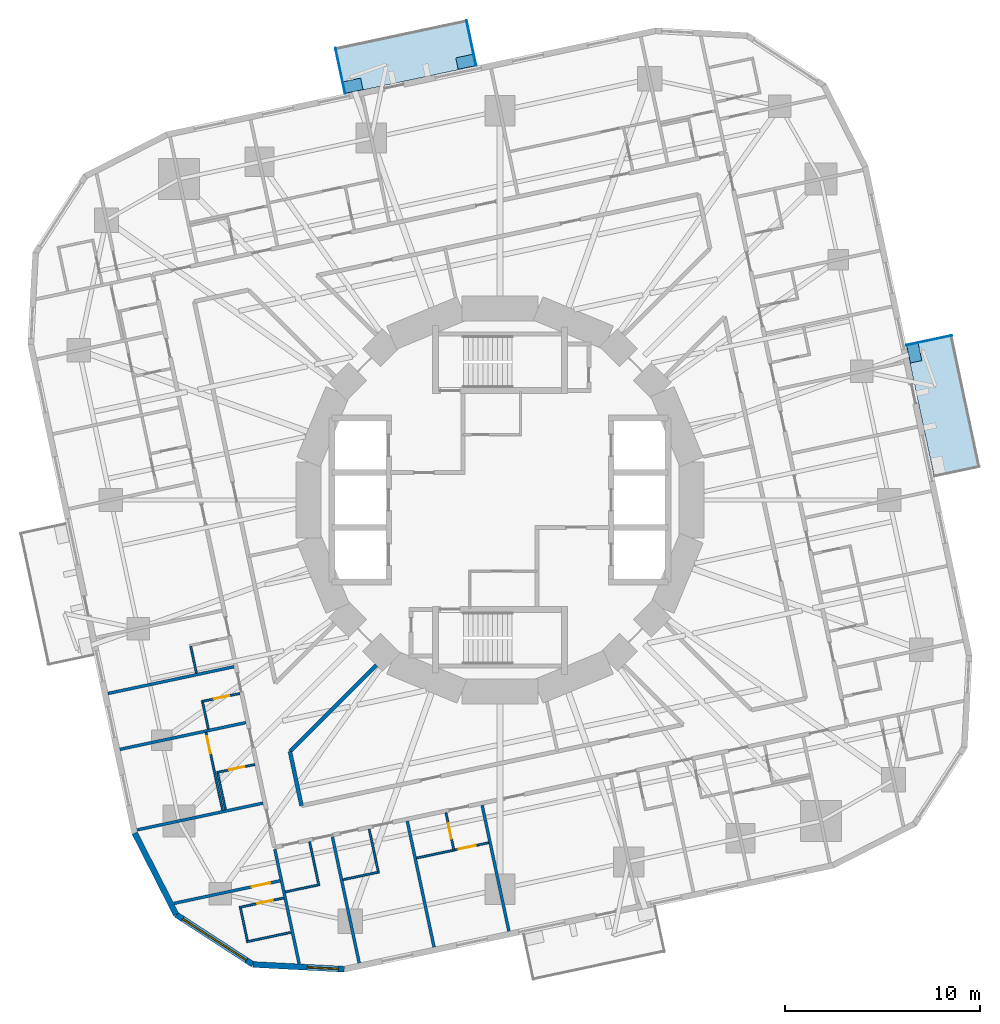
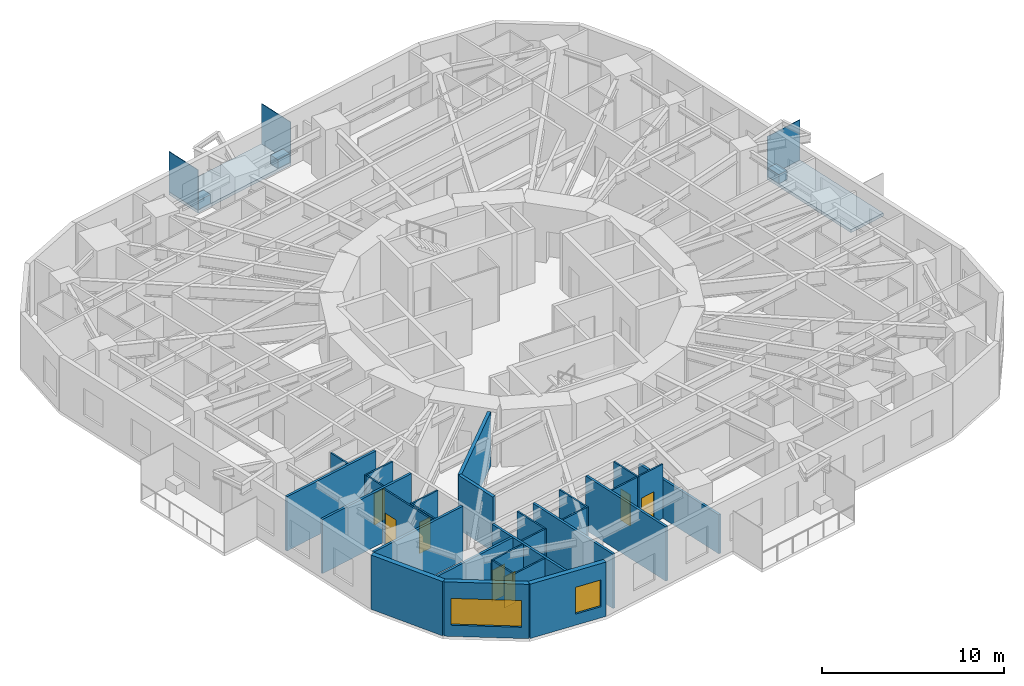
# One storey, part 4 of 14: 29 walls, 7 doors, 6 plates, 2 slabs, 2 windows, 9 openings.
"""IFC4 building model written with IfcOpenShell, lengths in metres."""

import ifcopenshell
import ifcopenshell.guid

model = None  # the IFC model being written
_history = None  # IfcOwnerHistory: only IFC2X3 demands one
_inside = {}  # id of a spatial element -> (the spatial element, [elements in it])
_under = {}  # id of a project, library or spatial element -> (it, [spatial elements below it])
_declared = {}  # id of a project -> (the project, [libraries it declares])
_typed = {}  # id of a type object -> (the type object, [elements of that type])
_made_of = {}  # id of a material, layer set ... -> (it, [elements and type objects made of it])


def new_model(schema):
    """Start an empty IFC model of exactly this schema.

    Asked for "IFC4X3", IfcOpenShell would pick the latest addendum, in which some entities
    have other attributes; the version numbers below select the first issue.
    IFC2X3 requires an IfcOwnerHistory on every rooted entity: one is made here for all.
    """
    global model, _history
    if schema == "IFC4X3":
        model = ifcopenshell.file(schema_version=(4, 3, 0, 0))
    else:
        model = ifcopenshell.file(schema=schema)
    _inside.clear()
    _under.clear()
    _declared.clear()
    _typed.clear()
    _made_of.clear()
    _history = None
    if model.schema == "IFC2X3":
        org = make("IfcOrganization", Name="unknown")
        user = make(
            "IfcPersonAndOrganization",
            ThePerson=make("IfcPerson", FamilyName="unknown"),
            TheOrganization=org,
        )
        app = make(
            "IfcApplication",
            ApplicationDeveloper=org,
            Version="unknown",
            ApplicationFullName="unknown",
            ApplicationIdentifier="unknown",
        )
        _history = make(
            "IfcOwnerHistory",
            OwningUser=user,
            OwningApplication=app,
            ChangeAction="ADDED",
            CreationDate=0,
        )
    return model


def make(cls, **values):
    """One entity of the class cls with the attributes given. An attribute that is None is left unset."""
    return model.create_entity(
        cls, **{name: value for name, value in values.items() if value is not None}
    )


def rooted(cls, **values):
    """An entity with a GlobalId (a new one), such as an element, a storey or a relation."""
    return make(cls, GlobalId=ifcopenshell.guid.new(), OwnerHistory=_history, **values)


def si_unit(unit_type, name, prefix=None):
    """IfcSIUnit, for example si_unit("LENGTHUNIT", "METRE", prefix="MILLI")."""
    return make("IfcSIUnit", UnitType=unit_type, Prefix=prefix, Name=name)


def assignment(units):
    """IfcUnitAssignment: the units of a project."""
    return None if units is None else make("IfcUnitAssignment", Units=units)


def point(xyz):
    """IfcCartesianPoint."""
    return None if xyz is None else make("IfcCartesianPoint", Coordinates=xyz)


def direction(xyz):
    """IfcDirection."""
    return None if xyz is None else make("IfcDirection", DirectionRatios=xyz)


def frame(location, z_axis=None, x_axis=None):
    """IfcAxis2Placement3D, a coordinate frame: its origin and axes. An axis left out is left unset."""
    return make(
        "IfcAxis2Placement3D",
        Location=point(location),
        Axis=direction(z_axis),
        RefDirection=direction(x_axis),
    )


def frame_2d(location, x_axis=None):
    """IfcAxis2Placement2D, a coordinate frame in the plane: its origin and x axis."""
    return make(
        "IfcAxis2Placement2D", Location=point(location), RefDirection=direction(x_axis)
    )


def origin():
    """The frame at (0, 0, 0) with its axes left unset."""
    return frame((0.0, 0.0, 0.0))


def origin_2d():
    """The frame at (0, 0) in the plane with its x axis left unset."""
    return frame_2d((0.0, 0.0))


def place(relative_to, where):
    """IfcLocalPlacement: puts the frame where relative to a parent placement (None: the world)."""
    return make(
        "IfcLocalPlacement", PlacementRelTo=relative_to, RelativePlacement=where
    )


def context(
    kind, dimensions, precision=None, world=None, true_north=None, identifier=None
):
    """IfcGeometricRepresentationContext, for example the 3D "Model" context."""
    return make(
        "IfcGeometricRepresentationContext",
        ContextIdentifier=identifier,
        ContextType=kind,
        CoordinateSpaceDimension=dimensions,
        Precision=precision,
        WorldCoordinateSystem=world,
        TrueNorth=true_north,
    )


def subcontext(parent, identifier, kind, view, scale=None):
    """IfcGeometricRepresentationSubContext, for example "Body" below "Model"."""
    return make(
        "IfcGeometricRepresentationSubContext",
        ContextIdentifier=identifier,
        ContextType=kind,
        ParentContext=parent,
        TargetScale=scale,
        TargetView=view,
    )


def project(units=None, contexts=None):
    """IfcProject with its units and contexts."""
    return rooted(
        "IfcProject",
        Name="project",
        RepresentationContexts=contexts,
        UnitsInContext=assignment(units),
    )


def spatial(cls, under=None, at=None, **own):
    """A site, building, storey or space (cls), placed at a placement, below another one or the project."""
    s = rooted(cls, ObjectPlacement=at, **own)
    if under is not None:
        _under.setdefault(under.id(), (under, []))[1].append(s)
    return s


def polyline(points):
    """IfcPolyline through the points."""
    return make("IfcPolyline", Points=[point(p) for p in points])


def profile(cls, at=None, kind="AREA", **sizes):
    """A parametric profile (cls). Its sizes go by their IFC names, for example OverallWidth=200.0."""
    return make(cls, ProfileType=kind, Position=at, **sizes)


def rectangle(**sizes):
    """IfcRectangleProfileDef."""
    return profile("IfcRectangleProfileDef", **sizes)


def outline(outer, holes=None, kind="AREA"):
    """IfcArbitraryClosedProfileDef: a profile drawn as a closed curve; with holes, ...WithVoids."""
    if holes is None:
        return make("IfcArbitraryClosedProfileDef", ProfileType=kind, OuterCurve=outer)
    return make(
        "IfcArbitraryProfileDefWithVoids",
        ProfileType=kind,
        OuterCurve=outer,
        InnerCurves=holes,
    )


def extrude(swept, where, along, depth):
    """IfcExtrudedAreaSolid: the profile swept, set in the frame where, extruded along a direction by depth."""
    return make(
        "IfcExtrudedAreaSolid",
        SweptArea=swept,
        Position=where,
        ExtrudedDirection=direction(along),
        Depth=depth,
    )


def shape(context_of_items, identifier, shape_type, items):
    """IfcShapeRepresentation: the items that make up one representation, for example the "Body"."""
    return make(
        "IfcShapeRepresentation",
        ContextOfItems=context_of_items,
        RepresentationIdentifier=identifier,
        RepresentationType=shape_type,
        Items=items,
    )


def material(Name=None, Category=None):
    """IfcMaterial."""
    return make("IfcMaterial", Name=Name, Category=Category)


def layer(
    of_material, thickness, ventilated=None, Name=None, Category=None, Priority=None
):
    """IfcMaterialLayer: one layer of a wall or slab, of a material (None: an air gap)."""
    return make(
        "IfcMaterialLayer",
        Material=of_material,
        LayerThickness=thickness,
        IsVentilated=ventilated,
        Name=Name,
        Category=Category,
        Priority=Priority,
    )


def layer_set(layers, Name=None):
    """IfcMaterialLayerSet."""
    return make("IfcMaterialLayerSet", MaterialLayers=layers, LayerSetName=Name)


def made_of(thing, what):
    """Note that an element or type object is made of a material, layer set ...; save() writes the relation."""
    if what is not None:
        _made_of.setdefault(what.id(), (what, []))[1].append(thing)
    return thing


def type_object(cls, material=None, **own):
    """A type object (cls), such as IfcWallType, which elements share."""
    return made_of(rooted(cls, **own), material)


def element(
    cls,
    number,
    at=None,
    inside=None,
    cuts=None,
    type_object=None,
    material=None,
    context=None,
    identifier="Body",
    shape_type=None,
    held_by="IfcProductDefinitionShape",
    body=None,
    shapes=None,
    **own,
):
    """One element of the class cls, such as IfcWall. Its Tag is "e" and its number.

    at: its placement. inside: the storey or other place that contains it. cuts: it is an
    opening in that element (IfcRelVoidsElement). A single representation is given by context,
    identifier, shape_type and body (its items); several are given by shapes. held_by: the class
    of the entity that holds the representations. save() writes the other relations.
    """
    e = rooted(cls, Tag="e%d" % number, ObjectPlacement=at, **own)
    if body is not None:
        shapes = [shape(context, identifier, shape_type, body)]
    if shapes is not None:
        e.Representation = make(held_by, Representations=shapes)
    if inside is not None:
        _inside.setdefault(inside.id(), (inside, []))[1].append(e)
    if cuts is not None:
        rooted(
            "IfcRelVoidsElement", RelatingBuildingElement=cuts, RelatedOpeningElement=e
        )
    if type_object is not None:
        _typed.setdefault(type_object.id(), (type_object, []))[1].append(e)
    return made_of(e, material)


def fill(opening, filler):
    """IfcRelFillsElement: the door or window that sits in an opening."""
    return rooted(
        "IfcRelFillsElement",
        RelatingOpeningElement=opening,
        RelatedBuildingElement=filler,
    )


def aggregate(whole, parts):
    """IfcRelAggregates: a whole, such as a stair, and the parts it consists of."""
    return rooted("IfcRelAggregates", RelatingObject=whole, RelatedObjects=parts)


def save(model, path):
    """Write the relations noted so far, then the file.

    IfcRelAggregates (storeys below a building ...), IfcRelContainedInSpatialStructure (elements
    in a storey), IfcRelDefinesByType, IfcRelAssociatesMaterial and IfcRelDeclares: one each for
    every whole, place, type object, material and project.
    """
    for whole, parts in _under.values():
        aggregate(whole, parts)
    for where, things in _inside.values():
        rooted(
            "IfcRelContainedInSpatialStructure",
            RelatedElements=things,
            RelatingStructure=where,
        )
    for kind, things in _typed.values():
        rooted("IfcRelDefinesByType", RelatedObjects=things, RelatingType=kind)
    for what, things in _made_of.values():
        rooted("IfcRelAssociatesMaterial", RelatedObjects=things, RelatingMaterial=what)
    for by, libraries in _declared.values():
        rooted("IfcRelDeclares", RelatingContext=by, RelatedDefinitions=libraries)
    model.write(path)


model = new_model("IFC4")

# Units and contexts
model_context = context("Model", 3, precision=1e-05, world=origin(), true_north=direction((0.0, 1.0)))
body_context = subcontext(model_context, "Body", "Model", "MODEL_VIEW")
ifc_project = project(units=[si_unit("LENGTHUNIT", "METRE"), si_unit("AREAUNIT", "SQUARE_METRE"), si_unit("VOLUMEUNIT", "CUBIC_METRE"), si_unit("PLANEANGLEUNIT", "RADIAN"), si_unit("MASSUNIT", "GRAM", prefix="KILO")], contexts=[model_context])

# Site, building, storey
site_placement = place(None, origin())
site = spatial("IfcSite", under=ifc_project, at=site_placement, CompositionType="ELEMENT")
building_placement = place(site_placement, origin())
building = spatial("IfcBuilding", under=site, at=building_placement, Name="Nakasero Lantern House", CompositionType="ELEMENT")
storey_placement = place(building_placement, frame((0.0, 0.0, 120.39990234375)))
storey = spatial("IfcBuildingStorey", under=building, at=storey_placement, Name="L29", CompositionType="ELEMENT", Elevation=120.39990234375)

# Plates
ifc_material_1 = material(Name="Aluminium 6063-T6", Category="aluminium")
ifc_layer_1 = layer(ifc_material_1, 0.60009765625)
ifc_layer_set_1 = layer_set([ifc_layer_1], Name="Balcony planter 600x900")
plate_type_1 = type_object("IfcPlateType", Name="Balcony planter 600x900", PredefinedType="USERDEFINED", material=ifc_layer_set_1)
for number, where, z_axis, x_axis, name in (
    (1, (21.220947265625, 7.516357421875, 0.0), (0.0, 0.0, 1.0), (0.978147600734, 0.207911690818, 0.0), "Balcony PLANTER L29 BAL0B"),
    (2, (-1.764892578125, 22.443603515625, 0.0), (0.0, 0.0, 1.0), (-0.207911690818, 0.978147600734, 0.0), "Balcony PLANTER L29 BAL1A"),
    (3, (-7.516357421875, 21.220947265625, 0.0), (0.0, 0.0, 1.0), (-0.207911690818, 0.978147600734, 0.0), "Balcony PLANTER L29 BAL1B"),
):
    element("IfcPlate", number, at=place(storey_placement, frame(where, z_axis=z_axis, x_axis=x_axis)), inside=storey, type_object=plate_type_1, Name=name, ObjectType="PLANTER", PredefinedType="USERDEFINED", context=body_context, shape_type="SweptSolid", body=[
        extrude(rectangle(XDim=0.60009765625, YDim=0.89990234375, at=origin_2d()), origin(), (0.0, 0.0, 1.0), 0.60009765625),
    ])
ifc_material_2 = material(Name="Aluminium 6063-T6", Category="aluminium")
ifc_layer_2 = layer(ifc_material_2, 0.0400390625)
ifc_layer_set_2 = layer_set([ifc_layer_2], Name="Balcony screen 2400x2700")
plate_type_2 = type_object("IfcPlateType", Name="Balcony screen 2400x2700", PredefinedType="SHEET", material=ifc_layer_set_2)
for number, where, z_axis, x_axis, name in (
    (4, (21.97998046875, 8.1787109375, 0.0), (0.0, 0.0, 1.0), (0.978147600734, 0.207911690818, 0.0), "Balcony SCREEN L29 BAL0B"),
    (5, (-1.468505859375, 23.40625, 0.0), (0.0, 0.0, 1.0), (-0.207911690818, 0.978147600734, 0.0), "Balcony SCREEN L29 BAL1A"),
    (6, (-8.1787109375, 21.97998046875, 0.0), (0.0, 0.0, 1.0), (-0.207911690818, 0.978147600734, 0.0), "Balcony SCREEN L29 BAL1B"),
):
    element("IfcPlate", number, at=place(storey_placement, frame(where, z_axis=z_axis, x_axis=x_axis)), inside=storey, type_object=plate_type_2, Name=name, PredefinedType="SHEET", context=body_context, shape_type="SweptSolid", body=[
        extrude(rectangle(XDim=2.39990234375, YDim=0.0400390625, at=origin_2d()), origin(), (0.0, 0.0, 1.0), 2.699951171875),
    ])

# Slabs
ifc_material_3 = material(Name="Concrete C35/45", Category="concrete")
ifc_layer_3 = layer(ifc_material_3, 0.199951171875)
ifc_layer_set_3 = layer_set([ifc_layer_3], Name="Balcony slab 200")
slab_type = type_object("IfcSlabType", Name="Balcony slab 200", PredefinedType="USERDEFINED", material=ifc_layer_set_3)
slab_1_placement = place(storey_placement, frame((0.0, 0.0, -0.199951171875)))
element("IfcSlab", 7, at=slab_1_placement, inside=storey, type_object=slab_type, Name="Balcony L29 BAL0", ObjectType="BALCONY", PredefinedType="USERDEFINED", context=body_context, shape_type="SweptSolid", body=[
    extrude(outline(polyline([(22.236572265625, 1.199462890625), (24.583984375, 1.698486328125), (23.1494140625, 8.44775390625), (20.802001953125, 7.94873046875), (22.236572265625, 1.199462890625)])), origin(), (0.0, 0.0, 1.0), 0.199951171875),
])
slab_2_placement = place(storey_placement, frame((0.0, 0.0, -0.199951171875)))
element("IfcSlab", 8, at=slab_2_placement, inside=storey, type_object=slab_type, Name="Balcony L29 BAL1", ObjectType="BALCONY", PredefinedType="USERDEFINED", context=body_context, shape_type="SweptSolid", body=[
    extrude(outline(polyline([(-1.199462890625, 22.236572265625), (-1.698486328125, 24.583984375), (-8.44775390625, 23.1494140625), (-7.94873046875, 20.802001953125), (-1.199462890625, 22.236572265625)])), origin(), (0.0, 0.0, 1.0), 0.199951171875),
])

# Walls
ifc_material_4 = material(Name="Blockwork", Category="masonry")
ifc_layer_4 = layer(ifc_material_4, 0.199951171875)
ifc_layer_set_4 = layer_set([ifc_layer_4], Name="Corridor wall 200")
wall_type_1 = type_object("IfcWallType", Name="Corridor wall 200", PredefinedType="PARTITIONING", material=ifc_layer_set_4)
wall_1_placement = place(storey_placement, frame((-10.75732421875, -12.878662109375, 0.0), z_axis=(0.0, 0.0, 1.0), x_axis=(0.207908116695, -0.97814836043, 0.0)))
element("IfcWall", 9, at=wall_1_placement, inside=storey, type_object=wall_type_1, Name="Corridor wall L29 IW2-1", PredefinedType="PARTITIONING", context=body_context, shape_type="SweptSolid", body=[
    extrude(rectangle(XDim=2.83935546875, YDim=0.199951171875, at=frame_2d((1.419677734375, 0.0))), origin(), (0.0, 0.0, 1.0), 3.650146484375),
])
wall_2_placement = place(storey_placement, frame((-6.334228515625, -8.45556640625, 0.0), z_axis=(0.0, 0.0, 1.0), x_axis=(-0.707106781187, -0.707106781187, 0.0)))
element("IfcWall", 10, at=wall_2_placement, inside=storey, type_object=wall_type_1, Name="Corridor wall L29 PS10a", PredefinedType="PARTITIONING", context=body_context, shape_type="SweptSolid", body=[
    extrude(rectangle(XDim=6.255126953125, YDim=0.199951171875, at=frame_2d((3.12744140625, 0.0))), origin(), (0.0, 0.0, 1.0), 3.650146484375),
])
ifc_material_5 = material(Name="Blockwork", Category="masonry")
ifc_layer_5 = layer(ifc_material_5, 0.10009765625)
ifc_layer_set_5 = layer_set([ifc_layer_5], Name="En-suite wall 100")
wall_type_2 = type_object("IfcWallType", Name="En-suite wall 100", PredefinedType="PARTITIONING", material=ifc_layer_set_5)
wall_3_placement = place(storey_placement, frame((-15.836669921875, -7.50048828125, 0.0), z_axis=(0.0, 0.0, 1.0), x_axis=(0.207873355681, -0.978155748334, 0.0)))
element("IfcWall", 11, at=wall_3_placement, inside=storey, type_object=wall_type_2, Name="En-suite wall L29 EE2-05", PredefinedType="PARTITIONING", context=body_context, shape_type="SweptSolid", body=[
    extrude(rectangle(XDim=1.39990234375, YDim=0.10009765625, at=frame_2d((0.699951171875, 0.0))), origin(), (0.0, 0.0, 1.0), 3.650146484375),
])

# Wall, opening, door
wall_4_placement = place(storey_placement, frame((-13.331298828125, -9.908447265625, 0.0), z_axis=(0.0, 0.0, 1.0), x_axis=(-0.978128127149, -0.208003285743, 0.0)))
wall_4 = element("IfcWall", 12, at=wall_4_placement, inside=storey, type_object=wall_type_2, Name="En-suite wall L29 ES2-06", PredefinedType="PARTITIONING", context=body_context, shape_type="SweptSolid", body=[
    extrude(rectangle(XDim=2.0, YDim=0.10009765625, at=frame_2d((1.0, 0.0))), origin(), (0.0, 0.0, 1.0), 3.650146484375),
])
opening_1_placement = place(wall_4_placement, frame((0.550048828125, 0.0, 0.0)))
opening_1 = element("IfcOpeningElement", 13, at=opening_1_placement, cuts=wall_4, Name="Opening D02", PredefinedType="OPENING", context=body_context, shape_type="SweptSolid", body=[
    extrude(rectangle(XDim=0.800048828125, YDim=2.10009765625, at=frame_2d((0.39990234375, 1.050048828125))), frame((0.0, 0.070068359375, 0.0), z_axis=(0.0, -1.0, 0.0), x_axis=(1.0, 0.0, 0.0)), (0.0, 0.0, 1.0), 0.14013671875),
])
ifc_material_6 = material(Name="Timber C24", Category="wood")
door_type_1 = type_object("IfcDoorType", Name="En-suite door 800", OperationType="SINGLE_SWING_RIGHT", PredefinedType="DOOR", material=ifc_material_6)
door_1_placement = place(opening_1_placement, origin())
door_1 = element("IfcDoor", 14, at=door_1_placement, inside=storey, type_object=door_type_1, Name="Door L29 DE2-06", OperationType="SINGLE_SWING_LEFT", OverallHeight=2.10009765625, OverallWidth=0.800048828125, PredefinedType="DOOR", context=body_context, shape_type="SweptSolid", body=[
    extrude(rectangle(XDim=0.800048828125, YDim=2.10009765625, at=frame_2d((0.39990234375, 1.050048828125))), frame((0.0, 0.02490234375, 0.0), z_axis=(0.0, -1.0, 0.0), x_axis=(1.0, 0.0, 0.0)), (0.0, 0.0, 1.0), 0.050048828125),
])
fill(opening_1, door_1)

# Wall
wall_5_placement = place(storey_placement, frame((-15.228271484375, -10.36279296875, 0.0), z_axis=(0.0, 0.0, 1.0), x_axis=(0.207873355681, -0.978155748334, 0.0)))
element("IfcWall", 15, at=wall_5_placement, inside=storey, type_object=wall_type_2, Name="En-suite wall L29 EE2-06", PredefinedType="PARTITIONING", context=body_context, shape_type="SweptSolid", body=[
    extrude(rectangle(XDim=1.39990234375, YDim=0.10009765625, at=frame_2d((0.699951171875, 0.0))), origin(), (0.0, 0.0, 1.0), 3.650146484375),
])

# Wall, opening, door
wall_6_placement = place(storey_placement, frame((-12.55810546875, -13.54541015625, 0.0), z_axis=(0.0, 0.0, 1.0), x_axis=(-0.978152955943, -0.207886494942, 0.0)))
wall_6 = element("IfcWall", 16, at=wall_6_placement, inside=storey, type_object=wall_type_2, Name="En-suite wall L29 ES2-07", PredefinedType="PARTITIONING", context=body_context, shape_type="SweptSolid", body=[
    extrude(rectangle(XDim=2.0, YDim=0.10009765625, at=frame_2d((1.0, 0.0))), origin(), (0.0, 0.0, 1.0), 3.650146484375),
])
opening_2_placement = place(wall_6_placement, frame((0.550048828125, 0.0, 0.0)))
opening_2 = element("IfcOpeningElement", 17, at=opening_2_placement, cuts=wall_6, Name="Opening D02", PredefinedType="OPENING", context=body_context, shape_type="SweptSolid", body=[
    extrude(rectangle(XDim=0.800048828125, YDim=2.10009765625, at=frame_2d((0.39990234375, 1.050048828125))), frame((0.0, 0.070068359375, 0.0), z_axis=(0.0, -1.0, 0.0), x_axis=(1.0, 0.0, 0.0)), (0.0, 0.0, 1.0), 0.14013671875),
])
door_2_placement = place(opening_2_placement, origin())
door_2 = element("IfcDoor", 18, at=door_2_placement, inside=storey, type_object=door_type_1, Name="Door L29 DE2-07", OperationType="SINGLE_SWING_LEFT", OverallHeight=2.10009765625, OverallWidth=0.800048828125, PredefinedType="DOOR", context=body_context, shape_type="SweptSolid", body=[
    extrude(rectangle(XDim=0.800048828125, YDim=2.10009765625, at=frame_2d((0.39990234375, 1.050048828125))), frame((0.0, 0.02490234375, 0.0), z_axis=(0.0, -1.0, 0.0), x_axis=(1.0, 0.0, 0.0)), (0.0, 0.0, 1.0), 0.050048828125),
])
fill(opening_2, door_2)

# Wall
wall_7_placement = place(storey_placement, frame((-14.455078125, -13.999755859375, 0.0), z_axis=(0.0, 0.0, 1.0), x_axis=(0.207914082431, -0.978147092378, 0.0)))
element("IfcWall", 19, at=wall_7_placement, inside=storey, type_object=wall_type_2, Name="En-suite wall L29 EE2-07", PredefinedType="PARTITIONING", context=body_context, shape_type="SweptSolid", body=[
    extrude(rectangle(XDim=1.89990234375, YDim=0.10009765625, at=frame_2d((0.949951171875, 0.0))), origin(), (0.0, 0.0, 1.0), 3.650146484375),
])

# Wall, opening, door
wall_8_placement = place(storey_placement, frame((-11.069091796875, -20.382568359375, 0.0), z_axis=(0.0, 0.0, 1.0), x_axis=(-0.978136257952, -0.207965047255, 0.0)))
wall_8 = element("IfcWall", 20, at=wall_8_placement, inside=storey, type_object=wall_type_2, Name="En-suite wall L29 ES2-08", PredefinedType="PARTITIONING", context=body_context, shape_type="SweptSolid", body=[
    extrude(rectangle(XDim=2.3349609375, YDim=0.10009765625, at=frame_2d((1.16748046875, 0.0))), origin(), (0.0, 0.0, 1.0), 3.650146484375),
])
opening_3_placement = place(wall_8_placement, frame((0.5849609375, 0.0, 0.0)))
opening_3 = element("IfcOpeningElement", 21, at=opening_3_placement, cuts=wall_8, Name="Opening D02", PredefinedType="OPENING", context=body_context, shape_type="SweptSolid", body=[
    extrude(rectangle(XDim=0.800048828125, YDim=2.10009765625, at=frame_2d((0.39990234375, 1.050048828125))), frame((0.0, 0.070068359375, 0.0), z_axis=(0.0, -1.0, 0.0), x_axis=(1.0, 0.0, 0.0)), (0.0, 0.0, 1.0), 0.14013671875),
])
door_3_placement = place(opening_3_placement, origin())
door_3 = element("IfcDoor", 22, at=door_3_placement, inside=storey, type_object=door_type_1, Name="Door L29 DE2-08", OperationType="SINGLE_SWING_LEFT", OverallHeight=2.10009765625, OverallWidth=0.800048828125, PredefinedType="DOOR", context=body_context, shape_type="SweptSolid", body=[
    extrude(rectangle(XDim=0.800048828125, YDim=2.10009765625, at=frame_2d((0.39990234375, 1.050048828125))), frame((0.0, 0.02490234375, 0.0), z_axis=(0.0, -1.0, 0.0), x_axis=(1.0, 0.0, 0.0)), (0.0, 0.0, 1.0), 0.050048828125),
])
fill(opening_3, door_3)

# Walls
wall_9_placement = place(storey_placement, frame((-13.293701171875, -20.906494140625, 0.0), z_axis=(0.0, 0.0, 1.0), x_axis=(0.207812379357, -0.978168704767, 0.0)))
element("IfcWall", 23, at=wall_9_placement, inside=storey, type_object=wall_type_2, Name="En-suite wall L29 EE2-08", PredefinedType="PARTITIONING", context=body_context, shape_type="SweptSolid", body=[
    extrude(rectangle(XDim=1.699951171875, YDim=0.10009765625, at=frame_2d((0.85009765625, 0.0))), origin(), (0.0, 0.0, 1.0), 3.650146484375),
])
for number, where, z_axis, x_axis, name in (
    (24, (-10.72900390625, -22.150634765625, 0.0), (0.0, 0.0, 1.0), (-0.978162897375, -0.207839712757, 0.0), "En-suite wall L29 EV2-08"),
    (25, (-9.74755859375, -17.50927734375, 0.0), (0.0, 0.0, 1.0), (0.207839712757, -0.978162897375, 0.0), "En-suite wall L29 ES3-00"),
):
    element("IfcWall", number, at=place(storey_placement, frame(where, z_axis=z_axis, x_axis=x_axis)), inside=storey, type_object=wall_type_2, Name=name, PredefinedType="PARTITIONING", context=body_context, shape_type="SweptSolid", body=[
        extrude(rectangle(XDim=2.300048828125, YDim=0.10009765625, at=frame_2d((1.14990234375, 0.0))), origin(), (0.0, 0.0, 1.0), 3.650146484375),
    ])
wall_10_placement = place(storey_placement, frame((-10.99169921875, -20.073974609375, 0.0), z_axis=(0.0, 0.0, 1.0), x_axis=(0.97814571127, 0.207920579847, 0.0)))
element("IfcWall", 26, at=wall_10_placement, inside=storey, type_object=wall_type_2, Name="En-suite wall L29 EE3-00", PredefinedType="PARTITIONING", context=body_context, shape_type="SweptSolid", body=[
    extrude(rectangle(XDim=1.7001953125, YDim=0.10009765625, at=frame_2d((0.85009765625, 0.0))), origin(), (0.0, 0.0, 1.0), 3.650146484375),
])
wall_11_placement = place(storey_placement, frame((-6.69970703125, -16.861328125, 0.0), z_axis=(0.0, 0.0, 1.0), x_axis=(0.207941273027, -0.978141312374, 0.0)))
element("IfcWall", 27, at=wall_11_placement, inside=storey, type_object=wall_type_2, Name="En-suite wall L29 ES3-01", PredefinedType="PARTITIONING", context=body_context, shape_type="SweptSolid", body=[
    extrude(rectangle(XDim=2.300048828125, YDim=0.10009765625, at=frame_2d((1.14990234375, 0.0))), origin(), (0.0, 0.0, 1.0), 3.650146484375),
])
wall_12_placement = place(storey_placement, frame((-8.041259765625, -19.44677734375, 0.0), z_axis=(0.0, 0.0, 1.0), x_axis=(0.978140575842, 0.207944737591, 0.0)))
element("IfcWall", 28, at=wall_12_placement, inside=storey, type_object=wall_type_2, Name="En-suite wall L29 EE3-01", PredefinedType="PARTITIONING", context=body_context, shape_type="SweptSolid", body=[
    extrude(rectangle(XDim=1.7998046875, YDim=0.10009765625, at=frame_2d((0.89990234375, 0.0))), origin(), (0.0, 0.0, 1.0), 3.650146484375),
])

# Wall, opening, door
wall_13_placement = place(storey_placement, frame((-2.767822265625, -16.025634765625, 0.0), z_axis=(0.0, 0.0, 1.0), x_axis=(0.207886494942, -0.978152955943, 0.0)))
wall_13 = element("IfcWall", 29, at=wall_13_placement, inside=storey, type_object=wall_type_2, Name="En-suite wall L29 ES3-02", PredefinedType="PARTITIONING", context=body_context, shape_type="SweptSolid", body=[
    extrude(rectangle(XDim=2.0, YDim=0.10009765625, at=frame_2d((1.0, 0.0))), origin(), (0.0, 0.0, 1.0), 3.650146484375),
])
opening_4_placement = place(wall_13_placement, frame((0.550048828125, 0.0, 0.0)))
opening_4 = element("IfcOpeningElement", 30, at=opening_4_placement, cuts=wall_13, Name="Opening D02", PredefinedType="OPENING", context=body_context, shape_type="SweptSolid", body=[
    extrude(rectangle(XDim=0.800048828125, YDim=2.10009765625, at=frame_2d((0.39990234375, 1.050048828125))), frame((0.0, 0.070068359375, 0.0), z_axis=(0.0, -1.0, 0.0), x_axis=(1.0, 0.0, 0.0)), (0.0, 0.0, 1.0), 0.14013671875),
])
door_4_placement = place(opening_4_placement, origin())
door_4 = element("IfcDoor", 31, at=door_4_placement, inside=storey, type_object=door_type_1, Name="Door L29 DE3-02", OperationType="SINGLE_SWING_LEFT", OverallHeight=2.10009765625, OverallWidth=0.800048828125, PredefinedType="DOOR", context=body_context, shape_type="SweptSolid", body=[
    extrude(rectangle(XDim=0.800048828125, YDim=2.10009765625, at=frame_2d((0.39990234375, 1.050048828125))), frame((0.0, 0.02490234375, 0.0), z_axis=(0.0, -1.0, 0.0), x_axis=(1.0, 0.0, 0.0)), (0.0, 0.0, 1.0), 0.050048828125),
])
fill(opening_4, door_4)

# Wall
wall_14_placement = place(storey_placement, frame((-4.269775390625, -18.33837890625, 0.0), z_axis=(0.0, 0.0, 1.0), x_axis=(0.978147092378, 0.207914082431, 0.0)))
element("IfcWall", 32, at=wall_14_placement, inside=storey, type_object=wall_type_2, Name="En-suite wall L29 EE3-02", PredefinedType="PARTITIONING", context=body_context, shape_type="SweptSolid", body=[
    extrude(rectangle(XDim=1.89990234375, YDim=0.10009765625, at=frame_2d((0.949951171875, 0.0))), origin(), (0.0, 0.0, 1.0), 3.650146484375),
])

# Wall, opening, door
wall_15_placement = place(storey_placement, frame((-15.052734375, -11.91015625, 0.0), z_axis=(0.0, 0.0, 1.0), x_axis=(0.207942731049, -0.978141002414, 0.0)))
wall_15 = element("IfcWall", 33, at=wall_15_placement, inside=storey, type_object=wall_type_2, Name="En-suite wall L29 EL2-07", PredefinedType="PARTITIONING", context=body_context, shape_type="SweptSolid", body=[
    extrude(rectangle(XDim=4.068115234375, YDim=0.10009765625, at=frame_2d((2.0341796875, 0.0))), origin(), (0.0, 0.0, 1.0), 3.650146484375),
])
opening_5_placement = place(wall_15_placement, frame((0.199951171875, 0.0, 0.0)))
opening_5 = element("IfcOpeningElement", 34, at=opening_5_placement, cuts=wall_15, Name="Opening D17", PredefinedType="OPENING", context=body_context, shape_type="SweptSolid", body=[
    extrude(rectangle(XDim=0.89990234375, YDim=2.10009765625, at=frame_2d((0.449951171875, 1.050048828125))), frame((0.0, 0.070068359375, 0.0), z_axis=(0.0, -1.0, 0.0), x_axis=(1.0, 0.0, 0.0)), (0.0, 0.0, 1.0), 0.14013671875),
])
ifc_material_7 = material(Name="Timber C24", Category="wood")
door_type_2 = type_object("IfcDoorType", Name="Bedroom door FD30S 900", OperationType="SINGLE_SWING_LEFT", PredefinedType="DOOR", material=ifc_material_7)
door_5_placement = place(opening_5_placement, origin())
door_5 = element("IfcDoor", 35, at=door_5_placement, inside=storey, type_object=door_type_2, Name="Door L29 DL2-07", OperationType="SINGLE_SWING_LEFT", OverallHeight=2.10009765625, OverallWidth=0.89990234375, PredefinedType="DOOR", context=body_context, shape_type="SweptSolid", body=[
    extrude(rectangle(XDim=0.89990234375, YDim=2.10009765625, at=frame_2d((0.449951171875, 1.050048828125))), frame((0.0, 0.02490234375, 0.0), z_axis=(0.0, -1.0, 0.0), x_axis=(1.0, 0.0, 0.0)), (0.0, 0.0, 1.0), 0.050048828125),
])
fill(opening_5, door_5)

wall_16_placement = place(storey_placement, frame((-2.3134765625, -17.922607421875, 0.0), z_axis=(0.0, 0.0, 1.0), x_axis=(0.978142366117, 0.207936316228, 0.0)))
wall_16 = element("IfcWall", 36, at=wall_16_placement, inside=storey, type_object=wall_type_2, Name="En-suite wall L29 EL3-02", PredefinedType="PARTITIONING", context=body_context, shape_type="SweptSolid", body=[
    extrude(rectangle(XDim=1.769287109375, YDim=0.10009765625, at=frame_2d((0.884765625, 0.0))), origin(), (0.0, 0.0, 1.0), 3.650146484375),
])
opening_6_placement = place(wall_16_placement, frame((0.199951171875, 0.0, 0.0)))
opening_6 = element("IfcOpeningElement", 37, at=opening_6_placement, cuts=wall_16, Name="Opening D17", PredefinedType="OPENING", context=body_context, shape_type="SweptSolid", body=[
    extrude(rectangle(XDim=0.89990234375, YDim=2.10009765625, at=frame_2d((0.449951171875, 1.050048828125))), frame((0.0, 0.070068359375, 0.0), z_axis=(0.0, -1.0, 0.0), x_axis=(1.0, 0.0, 0.0)), (0.0, 0.0, 1.0), 0.14013671875),
])
door_6_placement = place(opening_6_placement, origin())
door_6 = element("IfcDoor", 38, at=door_6_placement, inside=storey, type_object=door_type_2, Name="Door L29 DL3-02", OperationType="SINGLE_SWING_LEFT", OverallHeight=2.10009765625, OverallWidth=0.89990234375, PredefinedType="DOOR", context=body_context, shape_type="SweptSolid", body=[
    extrude(rectangle(XDim=0.89990234375, YDim=2.10009765625, at=frame_2d((0.449951171875, 1.050048828125))), frame((0.0, 0.02490234375, 0.0), z_axis=(0.0, -1.0, 0.0), x_axis=(1.0, 0.0, 0.0)), (0.0, 0.0, 1.0), 0.050048828125),
])
fill(opening_6, door_6)

# Wall
ifc_material_8 = material(Name="Aluminium rainscreen on blockwork", Category="masonry")
ifc_layer_6 = layer(ifc_material_8, 0.300048828125)
ifc_layer_set_6 = layer_set([ifc_layer_6], Name="Facade wall 300")
wall_type_3 = type_object("IfcWallType", Name="Facade wall 300", PredefinedType="SOLIDWALL", material=ifc_layer_set_6)
wall_17_placement = place(storey_placement, frame((-18.711181640625, -17.063232421875, 0.0), z_axis=(0.0, 0.0, 1.0), x_axis=(0.453975745332, -0.89101404178, 0.0)))
element("IfcWall", 39, at=wall_17_placement, inside=storey, type_object=wall_type_3, Name="Facade wall L29 FW2C1", PredefinedType="SOLIDWALL", context=body_context, shape_type="SweptSolid", body=[
    extrude(rectangle(XDim=4.6845703125, YDim=0.300048828125, at=frame_2d((2.34228515625, 0.0))), origin(), (0.0, 0.0, 1.0), 3.650146484375),
])

# Wall, opening, window
wall_18_placement = place(storey_placement, frame((-16.58447265625, -21.2373046875, 0.0), z_axis=(0.0, 0.0, 1.0), x_axis=(0.838692381994, -0.544605442853, 0.0)))
wall_18 = element("IfcWall", 40, at=wall_18_placement, inside=storey, type_object=wall_type_3, Name="Facade wall L29 FW2C2", PredefinedType="SOLIDWALL", context=body_context, shape_type="SweptSolid", body=[
    extrude(rectangle(XDim=4.6845703125, YDim=0.300048828125, at=frame_2d((2.34228515625, 0.0))), origin(), (0.0, 0.0, 1.0), 3.650146484375),
])
opening_7_placement = place(wall_18_placement, frame((0.39990234375, 0.0, 0.75)))
opening_7 = element("IfcOpeningElement", 41, at=opening_7_placement, cuts=wall_18, Name="Opening W238", PredefinedType="OPENING", context=body_context, shape_type="SweptSolid", body=[
    extrude(rectangle(XDim=3.885009765625, YDim=1.800048828125, at=frame_2d((1.9423828125, 0.89990234375))), frame((0.0, 0.169921875, 0.0), z_axis=(0.0, -1.0, 0.0), x_axis=(1.0, 0.0, 0.0)), (0.0, 0.0, 1.0), 0.340087890625),
])
ifc_material_9 = material(Name="Aluminium 6063-T6 and glass", Category="aluminium")
window_type_1 = type_object("IfcWindowType", Name="Corner window 3885x1800", PartitioningType="SINGLE_PANEL", PredefinedType="WINDOW", material=ifc_material_9)
window_1_placement = place(opening_7_placement, origin())
window_1 = element("IfcWindow", 42, at=window_1_placement, inside=storey, type_object=window_type_1, Name="Window L29 WC2", OverallHeight=1.800048828125, OverallWidth=3.885009765625, PartitioningType="SINGLE_PANEL", PredefinedType="WINDOW", context=body_context, shape_type="SweptSolid", body=[
    extrude(rectangle(XDim=3.885009765625, YDim=1.800048828125, at=frame_2d((1.9423828125, 0.89990234375))), frame((0.0, 0.030029296875, 0.0), z_axis=(0.0, -1.0, 0.0), x_axis=(1.0, 0.0, 0.0)), (0.0, 0.0, 1.0), 0.06005859375),
])
fill(opening_7, window_1)

wall_19_placement = place(storey_placement, frame((-12.655517578125, -23.78857421875, 0.0), z_axis=(0.0, 0.0, 1.0), x_axis=(0.998630039879, -0.052326317, 0.0)))
wall_19 = element("IfcWall", 43, at=wall_19_placement, inside=storey, type_object=wall_type_3, Name="Facade wall L29 FW2C3", PredefinedType="SOLIDWALL", context=body_context, shape_type="SweptSolid", body=[
    extrude(rectangle(XDim=4.684326171875, YDim=0.300048828125, at=frame_2d((2.34228515625, 0.0))), origin(), (0.0, 0.0, 1.0), 3.650146484375),
])
opening_8_placement = place(wall_19_placement, frame((2.784912109375, 0.0, 0.75)))
opening_8 = element("IfcOpeningElement", 44, at=opening_8_placement, cuts=wall_19, Name="Opening W01", PredefinedType="OPENING", context=body_context, shape_type="SweptSolid", body=[
    extrude(rectangle(XDim=1.60009765625, YDim=1.800048828125, at=frame_2d((0.800048828125, 0.89990234375))), frame((0.0, 0.169921875, 0.0), z_axis=(0.0, -1.0, 0.0), x_axis=(1.0, 0.0, 0.0)), (0.0, 0.0, 1.0), 0.340087890625),
])
ifc_material_10 = material(Name="Aluminium 6063-T6 and glass", Category="aluminium")
window_type_2 = type_object("IfcWindowType", Name="Bedroom window 1600x1800", PartitioningType="SINGLE_PANEL", PredefinedType="WINDOW", material=ifc_material_10)
window_2_placement = place(opening_8_placement, origin())
window_2 = element("IfcWindow", 45, at=window_2_placement, inside=storey, type_object=window_type_2, Name="Window L29 WN3-00", OverallHeight=1.800048828125, OverallWidth=1.60009765625, PartitioningType="SINGLE_PANEL", PredefinedType="WINDOW", context=body_context, shape_type="SweptSolid", body=[
    extrude(rectangle(XDim=1.60009765625, YDim=1.800048828125, at=frame_2d((0.800048828125, 0.89990234375))), frame((0.0, 0.030029296875, 0.0), z_axis=(0.0, -1.0, 0.0), x_axis=(1.0, 0.0, 0.0)), (0.0, 0.0, 1.0), 0.06005859375),
])
fill(opening_8, window_2)

# Walls
ifc_material_11 = material(Name="Blockwork", Category="masonry")
ifc_layer_7 = layer(ifc_material_11, 0.14990234375)
ifc_layer_set_7 = layer_set([ifc_layer_7], Name="Party wall 150")
wall_type_4 = type_object("IfcWallType", Name="Party wall 150", PredefinedType="PARTITIONING", material=ifc_layer_set_7)
for number, where, z_axis, x_axis, name in (
    (46, (-13.62255859375, -8.537841796875, 0.0), (0.0, 0.0, 1.0), (-0.97815236361, -0.207889281984, 0.0), "Party wall L29 PW2-06"),
    (47, (-13.01416015625, -11.400146484375, 0.0), (0.0, 0.0, 1.0), (-0.978144841009, -0.207924673876, 0.0), "Party wall L29 PW2-07"),
    (48, (-12.13720703125, -15.526123046875, 0.0), (0.0, 0.0, 1.0), (-0.978144841009, -0.207924673876, 0.0), "Party wall L29 PW2-08"),
):
    element("IfcWall", number, at=place(storey_placement, frame(where, z_axis=z_axis, x_axis=x_axis)), inside=storey, type_object=wall_type_4, Name=name, PredefinedType="PARTITIONING", context=body_context, shape_type="SweptSolid", body=[
        extrude(rectangle(XDim=6.60009765625, YDim=0.14990234375, at=frame_2d((3.300048828125, 0.0))), origin(), (0.0, 0.0, 1.0), 3.650146484375),
    ])

# Wall, opening, door
wall_20_placement = place(storey_placement, frame((-11.256103515625, -19.502197265625, 0.0), z_axis=(0.0, 0.0, 1.0), x_axis=(-0.978142361087, -0.207936339891, 0.0)))
wall_20 = element("IfcWall", 49, at=wall_20_placement, inside=storey, type_object=wall_type_4, Name="Party wall L29 PC2", PredefinedType="PARTITIONING", context=body_context, shape_type="SweptSolid", body=[
    extrude(rectangle(XDim=5.570068359375, YDim=0.14990234375, at=frame_2d((2.78515625, 0.0))), origin(), (0.0, 0.0, 1.0), 3.650146484375),
])
opening_9_placement = place(wall_20_placement, frame((0.534912109375, 0.0, 0.0)))
opening_9 = element("IfcOpeningElement", 50, at=opening_9_placement, cuts=wall_20, Name="Opening D01", PredefinedType="OPENING", context=body_context, shape_type="SweptSolid", body=[
    extrude(rectangle(XDim=0.949951171875, YDim=2.10009765625, at=frame_2d((0.47509765625, 1.050048828125))), frame((0.0, 0.094970703125, 0.0), z_axis=(0.0, -1.0, 0.0), x_axis=(1.0, 0.0, 0.0)), (0.0, 0.0, 1.0), 0.18994140625),
])
ifc_material_12 = material(Name="Timber C24", Category="wood")
door_type_3 = type_object("IfcDoorType", Name="Bedroom door FD30S 950", OperationType="SINGLE_SWING_LEFT", PredefinedType="DOOR", material=ifc_material_12)
door_7_placement = place(opening_9_placement, origin())
door_7 = element("IfcDoor", 51, at=door_7_placement, inside=storey, type_object=door_type_3, Name="Door L29 DC2", OperationType="SINGLE_SWING_LEFT", OverallHeight=2.10009765625, OverallWidth=0.949951171875, PredefinedType="DOOR", context=body_context, shape_type="SweptSolid", body=[
    extrude(rectangle(XDim=0.949951171875, YDim=2.10009765625, at=frame_2d((0.47509765625, 1.050048828125))), frame((0.0, 0.02490234375, 0.0), z_axis=(0.0, -1.0, 0.0), x_axis=(1.0, 0.0, 0.0)), (0.0, 0.0, 1.0), 0.050048828125),
])
fill(opening_9, door_7)

# Walls
wall_21_placement = place(storey_placement, frame((-11.53271484375, -17.888671875, 0.0), z_axis=(0.0, 0.0, 1.0), x_axis=(0.207886494942, -0.978152955943, 0.0)))
element("IfcWall", 52, at=wall_21_placement, inside=storey, type_object=wall_type_4, Name="Party wall L29 PW3-00", PredefinedType="PARTITIONING", context=body_context, shape_type="SweptSolid", body=[
    extrude(rectangle(XDim=6.0, YDim=0.14990234375, at=frame_2d((3.0, 0.0))), origin(), (0.0, 0.0, 1.0), 3.650146484375),
])
wall_22_placement = place(storey_placement, frame((-8.58251953125, -17.26171875, 0.0), z_axis=(0.0, 0.0, 1.0), x_axis=(0.207932197326, -0.978143241716, 0.0)))
element("IfcWall", 53, at=wall_22_placement, inside=storey, type_object=wall_type_4, Name="Party wall L29 PW3-01", PredefinedType="PARTITIONING", context=body_context, shape_type="SweptSolid", body=[
    extrude(rectangle(XDim=6.599853515625, YDim=0.14990234375, at=frame_2d((3.2998046875, 0.0))), origin(), (0.0, 0.0, 1.0), 3.650146484375),
])
wall_23_placement = place(storey_placement, frame((-4.748779296875, -16.44677734375, 0.0), z_axis=(0.0, 0.0, 1.0), x_axis=(0.207924673876, -0.978144841009, 0.0)))
element("IfcWall", 54, at=wall_23_placement, inside=storey, type_object=wall_type_4, Name="Party wall L29 PW3-02", PredefinedType="PARTITIONING", context=body_context, shape_type="SweptSolid", body=[
    extrude(rectangle(XDim=6.60009765625, YDim=0.14990234375, at=frame_2d((3.300048828125, 0.0))), origin(), (0.0, 0.0, 1.0), 3.650146484375),
])
wall_24_placement = place(storey_placement, frame((-0.914794921875, -15.6318359375, 0.0), z_axis=(0.0, 0.0, 1.0), x_axis=(0.207924673876, -0.978144841009, 0.0)))
element("IfcWall", 55, at=wall_24_placement, inside=storey, type_object=wall_type_4, Name="Party wall L29 PW3-03", PredefinedType="PARTITIONING", context=body_context, shape_type="SweptSolid", body=[
    extrude(rectangle(XDim=6.60009765625, YDim=0.14990234375, at=frame_2d((3.300048828125, 0.0))), origin(), (0.0, 0.0, 1.0), 2.6240234375),
])

save(model, "model.ifc")
